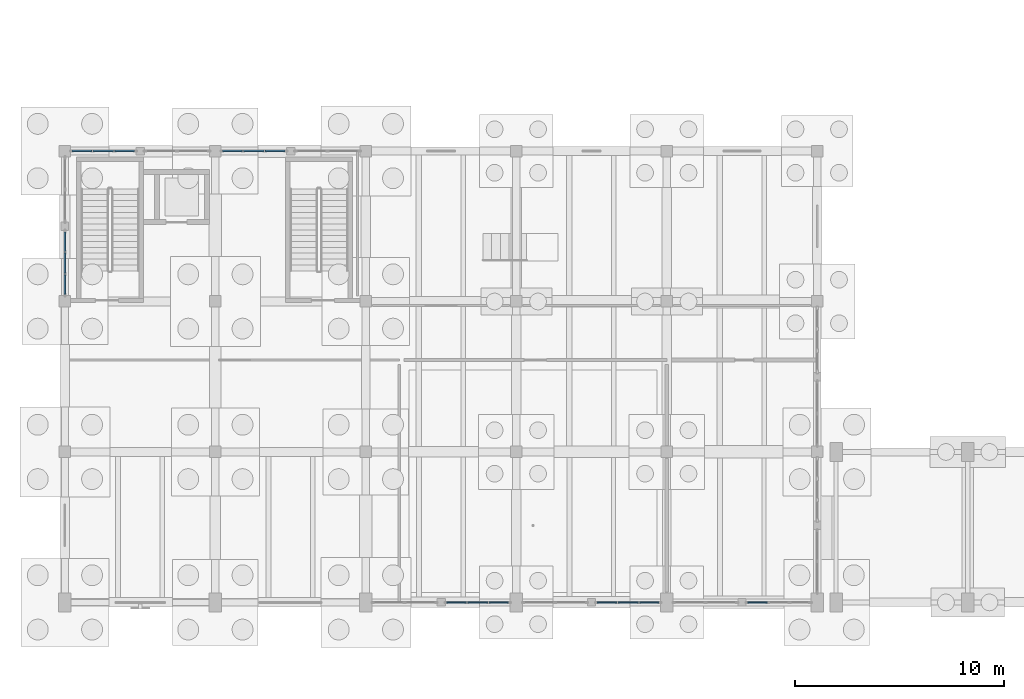
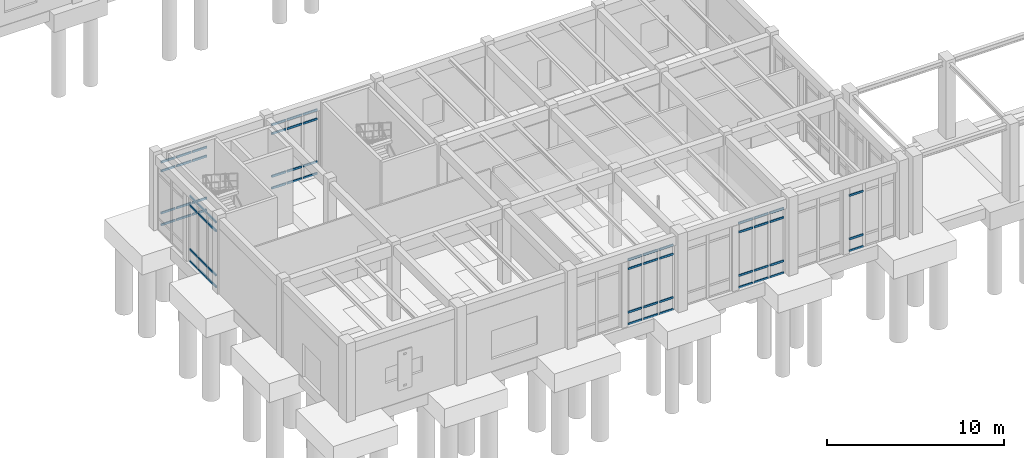
# One storey, part 43 of 93: 63 members, 6 elements without a shape of their own.
"""IFC4 building model written with IfcOpenShell, lengths in metres."""

import ifcopenshell
import ifcopenshell.guid

model = None  # the IFC model being written
_history = None  # IfcOwnerHistory: only IFC2X3 demands one
_inside = {}  # id of a spatial element -> (the spatial element, [elements in it])
_under = {}  # id of a project, library or spatial element -> (it, [spatial elements below it])
_declared = {}  # id of a project -> (the project, [libraries it declares])
_typed = {}  # id of a type object -> (the type object, [elements of that type])
_made_of = {}  # id of a material, layer set ... -> (it, [elements and type objects made of it])


def new_model(schema):
    """Start an empty IFC model of exactly this schema.

    Asked for "IFC4X3", IfcOpenShell would pick the latest addendum, in which some entities
    have other attributes; the version numbers below select the first issue.
    IFC2X3 requires an IfcOwnerHistory on every rooted entity: one is made here for all.
    """
    global model, _history
    if schema == "IFC4X3":
        model = ifcopenshell.file(schema_version=(4, 3, 0, 0))
    else:
        model = ifcopenshell.file(schema=schema)
    _inside.clear()
    _under.clear()
    _declared.clear()
    _typed.clear()
    _made_of.clear()
    _history = None
    if model.schema == "IFC2X3":
        org = make("IfcOrganization", Name="unknown")
        user = make(
            "IfcPersonAndOrganization",
            ThePerson=make("IfcPerson", FamilyName="unknown"),
            TheOrganization=org,
        )
        app = make(
            "IfcApplication",
            ApplicationDeveloper=org,
            Version="unknown",
            ApplicationFullName="unknown",
            ApplicationIdentifier="unknown",
        )
        _history = make(
            "IfcOwnerHistory",
            OwningUser=user,
            OwningApplication=app,
            ChangeAction="ADDED",
            CreationDate=0,
        )
    return model


def make(cls, **values):
    """One entity of the class cls with the attributes given. An attribute that is None is left unset."""
    return model.create_entity(
        cls, **{name: value for name, value in values.items() if value is not None}
    )


def rooted(cls, **values):
    """An entity with a GlobalId (a new one), such as an element, a storey or a relation."""
    return make(cls, GlobalId=ifcopenshell.guid.new(), OwnerHistory=_history, **values)


def si_unit(unit_type, name, prefix=None):
    """IfcSIUnit, for example si_unit("LENGTHUNIT", "METRE", prefix="MILLI")."""
    return make("IfcSIUnit", UnitType=unit_type, Prefix=prefix, Name=name)


def assignment(units):
    """IfcUnitAssignment: the units of a project."""
    return None if units is None else make("IfcUnitAssignment", Units=units)


def point(xyz):
    """IfcCartesianPoint."""
    return None if xyz is None else make("IfcCartesianPoint", Coordinates=xyz)


def direction(xyz):
    """IfcDirection."""
    return None if xyz is None else make("IfcDirection", DirectionRatios=xyz)


def frame(location, z_axis=None, x_axis=None):
    """IfcAxis2Placement3D, a coordinate frame: its origin and axes. An axis left out is left unset."""
    return make(
        "IfcAxis2Placement3D",
        Location=point(location),
        Axis=direction(z_axis),
        RefDirection=direction(x_axis),
    )


def frame_2d(location, x_axis=None):
    """IfcAxis2Placement2D, a coordinate frame in the plane: its origin and x axis."""
    return make(
        "IfcAxis2Placement2D", Location=point(location), RefDirection=direction(x_axis)
    )


def origin():
    """The frame at (0, 0, 0) with its axes left unset."""
    return frame((0.0, 0.0, 0.0))


def origin_2d():
    """The frame at (0, 0) in the plane with its x axis left unset."""
    return frame_2d((0.0, 0.0))


def place(relative_to, where):
    """IfcLocalPlacement: puts the frame where relative to a parent placement (None: the world)."""
    return make(
        "IfcLocalPlacement", PlacementRelTo=relative_to, RelativePlacement=where
    )


def context(
    kind, dimensions, precision=None, world=None, true_north=None, identifier=None
):
    """IfcGeometricRepresentationContext, for example the 3D "Model" context."""
    return make(
        "IfcGeometricRepresentationContext",
        ContextIdentifier=identifier,
        ContextType=kind,
        CoordinateSpaceDimension=dimensions,
        Precision=precision,
        WorldCoordinateSystem=world,
        TrueNorth=true_north,
    )


def subcontext(parent, identifier, kind, view, scale=None):
    """IfcGeometricRepresentationSubContext, for example "Body" below "Model"."""
    return make(
        "IfcGeometricRepresentationSubContext",
        ContextIdentifier=identifier,
        ContextType=kind,
        ParentContext=parent,
        TargetScale=scale,
        TargetView=view,
    )


def project(units=None, contexts=None):
    """IfcProject with its units and contexts."""
    return rooted(
        "IfcProject",
        Name="project",
        RepresentationContexts=contexts,
        UnitsInContext=assignment(units),
    )


def spatial(cls, under=None, at=None, **own):
    """A site, building, storey or space (cls), placed at a placement, below another one or the project."""
    s = rooted(cls, ObjectPlacement=at, **own)
    if under is not None:
        _under.setdefault(under.id(), (under, []))[1].append(s)
    return s


def profile(cls, at=None, kind="AREA", **sizes):
    """A parametric profile (cls). Its sizes go by their IFC names, for example OverallWidth=200.0."""
    return make(cls, ProfileType=kind, Position=at, **sizes)


def rectangle(**sizes):
    """IfcRectangleProfileDef."""
    return profile("IfcRectangleProfileDef", **sizes)


def extrude(swept, where, along, depth):
    """IfcExtrudedAreaSolid: the profile swept, set in the frame where, extruded along a direction by depth."""
    return make(
        "IfcExtrudedAreaSolid",
        SweptArea=swept,
        Position=where,
        ExtrudedDirection=direction(along),
        Depth=depth,
    )


def shape(context_of_items, identifier, shape_type, items):
    """IfcShapeRepresentation: the items that make up one representation, for example the "Body"."""
    return make(
        "IfcShapeRepresentation",
        ContextOfItems=context_of_items,
        RepresentationIdentifier=identifier,
        RepresentationType=shape_type,
        Items=items,
    )


def material(Name=None, Category=None):
    """IfcMaterial."""
    return make("IfcMaterial", Name=Name, Category=Category)


def layer(
    of_material, thickness, ventilated=None, Name=None, Category=None, Priority=None
):
    """IfcMaterialLayer: one layer of a wall or slab, of a material (None: an air gap)."""
    return make(
        "IfcMaterialLayer",
        Material=of_material,
        LayerThickness=thickness,
        IsVentilated=ventilated,
        Name=Name,
        Category=Category,
        Priority=Priority,
    )


def layer_set(layers, Name=None):
    """IfcMaterialLayerSet."""
    return make("IfcMaterialLayerSet", MaterialLayers=layers, LayerSetName=Name)


def material_profile(
    of_material, cross_section, Name=None, Category=None, Priority=None
):
    """IfcMaterialProfile: a cross section and its material."""
    return make(
        "IfcMaterialProfile",
        Name=Name,
        Material=of_material,
        Profile=cross_section,
        Priority=Priority,
        Category=Category,
    )


def profile_set(profiles, Name=None, composite=None):
    """IfcMaterialProfileSet."""
    return make(
        "IfcMaterialProfileSet",
        Name=Name,
        MaterialProfiles=profiles,
        CompositeProfile=composite,
    )


def made_of(thing, what):
    """Note that an element or type object is made of a material, layer set ...; save() writes the relation."""
    if what is not None:
        _made_of.setdefault(what.id(), (what, []))[1].append(thing)
    return thing


def type_object(cls, material=None, **own):
    """A type object (cls), such as IfcWallType, which elements share."""
    return made_of(rooted(cls, **own), material)


def element(
    cls,
    number,
    at=None,
    inside=None,
    cuts=None,
    type_object=None,
    material=None,
    context=None,
    identifier="Body",
    shape_type=None,
    held_by="IfcProductDefinitionShape",
    body=None,
    shapes=None,
    **own,
):
    """One element of the class cls, such as IfcWall. Its Tag is "e" and its number.

    at: its placement. inside: the storey or other place that contains it. cuts: it is an
    opening in that element (IfcRelVoidsElement). A single representation is given by context,
    identifier, shape_type and body (its items); several are given by shapes. held_by: the class
    of the entity that holds the representations. save() writes the other relations.
    """
    e = rooted(cls, Tag="e%d" % number, ObjectPlacement=at, **own)
    if body is not None:
        shapes = [shape(context, identifier, shape_type, body)]
    if shapes is not None:
        e.Representation = make(held_by, Representations=shapes)
    if inside is not None:
        _inside.setdefault(inside.id(), (inside, []))[1].append(e)
    if cuts is not None:
        rooted(
            "IfcRelVoidsElement", RelatingBuildingElement=cuts, RelatedOpeningElement=e
        )
    if type_object is not None:
        _typed.setdefault(type_object.id(), (type_object, []))[1].append(e)
    return made_of(e, material)


def aggregate(whole, parts):
    """IfcRelAggregates: a whole, such as a stair, and the parts it consists of."""
    return rooted("IfcRelAggregates", RelatingObject=whole, RelatedObjects=parts)


def save(model, path):
    """Write the relations noted so far, then the file.

    IfcRelAggregates (storeys below a building ...), IfcRelContainedInSpatialStructure (elements
    in a storey), IfcRelDefinesByType, IfcRelAssociatesMaterial and IfcRelDeclares: one each for
    every whole, place, type object, material and project.
    """
    for whole, parts in _under.values():
        aggregate(whole, parts)
    for where, things in _inside.values():
        rooted(
            "IfcRelContainedInSpatialStructure",
            RelatedElements=things,
            RelatingStructure=where,
        )
    for kind, things in _typed.values():
        rooted("IfcRelDefinesByType", RelatedObjects=things, RelatingType=kind)
    for what, things in _made_of.values():
        rooted("IfcRelAssociatesMaterial", RelatedObjects=things, RelatingMaterial=what)
    for by, libraries in _declared.values():
        rooted("IfcRelDeclares", RelatingContext=by, RelatedDefinitions=libraries)
    model.write(path)


model = new_model("IFC4")

# Units and contexts
model_context = context("Model", 3, precision=1e-05, world=origin(), true_north=direction((0.0, 1.0)))
body_context = subcontext(model_context, "Body", "Model", "MODEL_VIEW")
ifc_project = project(units=[si_unit("LENGTHUNIT", "METRE"), si_unit("AREAUNIT", "SQUARE_METRE"), si_unit("VOLUMEUNIT", "CUBIC_METRE"), si_unit("PLANEANGLEUNIT", "RADIAN"), si_unit("MASSUNIT", "GRAM", prefix="KILO")], contexts=[model_context])

# Site, building, storey
site_placement = place(None, origin())
site = spatial("IfcSite", under=ifc_project, at=site_placement, CompositionType="ELEMENT")
building_placement = place(site_placement, origin())
building = spatial("IfcBuilding", under=site, at=building_placement, Name="Koriwan Promenade Central Fire Station", CompositionType="ELEMENT")
storey_placement = place(building_placement, origin())
storey = spatial("IfcBuildingStorey", under=building, at=storey_placement, Name="L00", CompositionType="ELEMENT", Elevation=0.0)

# Curtain wall, members
ifc_material_1 = material(Name="Aluminium EN AW-6063-T6 and low-E glazing", Category="aluminium")
ifc_layer_1 = layer(ifc_material_1, 0.159912109375, Name="Aluminium EN AW-6063-T6 and low-E glazing")
ifc_layer_set_1 = layer_set([ifc_layer_1], Name="Aluminium EN AW-6063-T6 and low-E glazing")
curtain_wall_type_1 = type_object("IfcCurtainWallType", Name="CurtainWall_21_312x444", PredefinedType="USERDEFINED", material=ifc_layer_set_1)
curtain_wall_1_placement = place(storey_placement, origin())
curtain_wall_1 = element("IfcCurtainWall", 1, at=curtain_wall_1_placement, inside=storey, type_object=curtain_wall_type_1, Name="V3 L00 unitised curtain wall 056", ObjectType="UNITISED CURTAIN WALL", PredefinedType="USERDEFINED")
ifc_material_2 = material(Name="Aluminium EN AW-6063-T6", Category="aluminium")
ifc_material_profile = material_profile(ifc_material_2, rectangle(XDim=0.074951171875, YDim=0.139892578125, at=origin_2d()), Name="ALU-TRN-75x140")
ifc_profile_set = profile_set([ifc_material_profile], Name="Aluminium EN AW-6063-T6")
member_type = type_object("IfcMemberType", Name="CWTransom_ALU-TRN-75x140", PredefinedType="USERDEFINED", material=ifc_profile_set)
member_1_placement = place(storey_placement, frame((10.52490234375, 21.60009765625, 0.03759765625), z_axis=(-1.0, 0.0, 0.0), x_axis=(0.0, -1.0, 0.0)))
member_1 = element("IfcMember", 2, at=member_1_placement, type_object=member_type, Name="CW-21 transom 1.1", ObjectType="TRANSOM", PredefinedType="USERDEFINED", context=body_context, shape_type="SweptSolid", body=[
    extrude(rectangle(XDim=0.074951171875, YDim=0.139892578125, at=origin_2d()), origin(), (0.0, 0.0, 1.0), 0.928955078125),
])
member_2_placement = place(storey_placement, frame((10.52490234375, 21.60009765625, 0.85009765625), z_axis=(-1.0, 0.0, 0.0), x_axis=(0.0, -1.0, 0.0)))
member_2 = element("IfcMember", 3, at=member_2_placement, type_object=member_type, Name="CW-21 transom 1.2", ObjectType="TRANSOM", PredefinedType="USERDEFINED", context=body_context, shape_type="SweptSolid", body=[
    extrude(rectangle(XDim=0.074951171875, YDim=0.139892578125, at=origin_2d()), origin(), (0.0, 0.0, 1.0), 0.928955078125),
])
member_3_placement = place(storey_placement, frame((10.52490234375, 21.60009765625, 3.7900390625), z_axis=(-1.0, 0.0, 0.0), x_axis=(0.0, -1.0, 0.0)))
member_3 = element("IfcMember", 4, at=member_3_placement, type_object=member_type, Name="CW-21 transom 1.3", ObjectType="TRANSOM", PredefinedType="USERDEFINED", context=body_context, shape_type="SweptSolid", body=[
    extrude(rectangle(XDim=0.074951171875, YDim=0.139892578125, at=origin_2d()), origin(), (0.0, 0.0, 1.0), 0.928955078125),
])
member_4_placement = place(storey_placement, frame((10.52490234375, 21.60009765625, 4.402587890625), z_axis=(-1.0, 0.0, 0.0), x_axis=(0.0, -1.0, 0.0)))
member_4 = element("IfcMember", 5, at=member_4_placement, type_object=member_type, Name="CW-21 transom 1.4", ObjectType="TRANSOM", PredefinedType="USERDEFINED", context=body_context, shape_type="SweptSolid", body=[
    extrude(rectangle(XDim=0.074951171875, YDim=0.139892578125, at=origin_2d()), origin(), (0.0, 0.0, 1.0), 0.928955078125),
])
member_5_placement = place(storey_placement, frame((9.520751953125, 21.60009765625, 0.03759765625), z_axis=(-1.0, 0.0, 0.0), x_axis=(0.0, -1.0, 0.0)))
member_5 = element("IfcMember", 6, at=member_5_placement, type_object=member_type, Name="CW-21 transom 2.1", ObjectType="TRANSOM", PredefinedType="USERDEFINED", context=body_context, shape_type="SweptSolid", body=[
    extrude(rectangle(XDim=0.074951171875, YDim=0.139892578125, at=origin_2d()), origin(), (0.0, 0.0, 1.0), 0.966552734375),
])
member_6_placement = place(storey_placement, frame((9.520751953125, 21.60009765625, 0.85009765625), z_axis=(-1.0, 0.0, 0.0), x_axis=(0.0, -1.0, 0.0)))
member_6 = element("IfcMember", 7, at=member_6_placement, type_object=member_type, Name="CW-21 transom 2.2", ObjectType="TRANSOM", PredefinedType="USERDEFINED", context=body_context, shape_type="SweptSolid", body=[
    extrude(rectangle(XDim=0.074951171875, YDim=0.139892578125, at=origin_2d()), origin(), (0.0, 0.0, 1.0), 0.966552734375),
])
member_7_placement = place(storey_placement, frame((9.520751953125, 21.60009765625, 3.7900390625), z_axis=(-1.0, 0.0, 0.0), x_axis=(0.0, -1.0, 0.0)))
member_7 = element("IfcMember", 8, at=member_7_placement, type_object=member_type, Name="CW-21 transom 2.3", ObjectType="TRANSOM", PredefinedType="USERDEFINED", context=body_context, shape_type="SweptSolid", body=[
    extrude(rectangle(XDim=0.074951171875, YDim=0.139892578125, at=origin_2d()), origin(), (0.0, 0.0, 1.0), 0.966552734375),
])
member_8_placement = place(storey_placement, frame((9.520751953125, 21.60009765625, 4.402587890625), z_axis=(-1.0, 0.0, 0.0), x_axis=(0.0, -1.0, 0.0)))
member_8 = element("IfcMember", 9, at=member_8_placement, type_object=member_type, Name="CW-21 transom 2.4", ObjectType="TRANSOM", PredefinedType="USERDEFINED", context=body_context, shape_type="SweptSolid", body=[
    extrude(rectangle(XDim=0.074951171875, YDim=0.139892578125, at=origin_2d()), origin(), (0.0, 0.0, 1.0), 0.966552734375),
])
member_9_placement = place(storey_placement, frame((8.479248046875, 21.60009765625, 0.03759765625), z_axis=(-1.0, 0.0, 0.0), x_axis=(0.0, -1.0, 0.0)))
member_9 = element("IfcMember", 10, at=member_9_placement, type_object=member_type, Name="CW-21 transom 3.1", ObjectType="TRANSOM", PredefinedType="USERDEFINED", context=body_context, shape_type="SweptSolid", body=[
    extrude(rectangle(XDim=0.074951171875, YDim=0.139892578125, at=origin_2d()), origin(), (0.0, 0.0, 1.0), 0.92919921875),
])
member_10_placement = place(storey_placement, frame((8.479248046875, 21.60009765625, 0.85009765625), z_axis=(-1.0, 0.0, 0.0), x_axis=(0.0, -1.0, 0.0)))
member_10 = element("IfcMember", 11, at=member_10_placement, type_object=member_type, Name="CW-21 transom 3.2", ObjectType="TRANSOM", PredefinedType="USERDEFINED", context=body_context, shape_type="SweptSolid", body=[
    extrude(rectangle(XDim=0.074951171875, YDim=0.139892578125, at=origin_2d()), origin(), (0.0, 0.0, 1.0), 0.92919921875),
])
member_11_placement = place(storey_placement, frame((8.479248046875, 21.60009765625, 3.7900390625), z_axis=(-1.0, 0.0, 0.0), x_axis=(0.0, -1.0, 0.0)))
member_11 = element("IfcMember", 12, at=member_11_placement, type_object=member_type, Name="CW-21 transom 3.3", ObjectType="TRANSOM", PredefinedType="USERDEFINED", context=body_context, shape_type="SweptSolid", body=[
    extrude(rectangle(XDim=0.074951171875, YDim=0.139892578125, at=origin_2d()), origin(), (0.0, 0.0, 1.0), 0.92919921875),
])
member_12_placement = place(storey_placement, frame((8.479248046875, 21.60009765625, 4.402587890625), z_axis=(-1.0, 0.0, 0.0), x_axis=(0.0, -1.0, 0.0)))
member_12 = element("IfcMember", 13, at=member_12_placement, type_object=member_type, Name="CW-21 transom 3.4", ObjectType="TRANSOM", PredefinedType="USERDEFINED", context=body_context, shape_type="SweptSolid", body=[
    extrude(rectangle(XDim=0.074951171875, YDim=0.139892578125, at=origin_2d()), origin(), (0.0, 0.0, 1.0), 0.92919921875),
])
aggregate(curtain_wall_1, [member_1, member_2, member_3, member_4, member_5, member_6, member_7, member_8, member_9, member_10, member_11, member_12])

ifc_layer_2 = layer(ifc_material_1, 0.159912109375, Name="Aluminium EN AW-6063-T6 and low-E glazing")
ifc_layer_set_2 = layer_set([ifc_layer_2], Name="Aluminium EN AW-6063-T6 and low-E glazing")
curtain_wall_type_2 = type_object("IfcCurtainWallType", Name="CurtainWall_23_312x439", PredefinedType="USERDEFINED", material=ifc_layer_set_2)
curtain_wall_2_placement = place(storey_placement, origin())
curtain_wall_2 = element("IfcCurtainWall", 14, at=curtain_wall_2_placement, inside=storey, type_object=curtain_wall_type_2, Name="V3 L00 unitised curtain wall 058", ObjectType="UNITISED CURTAIN WALL", PredefinedType="USERDEFINED")
member_13_placement = place(storey_placement, frame((3.324951171875, 21.60009765625, 0.03759765625), z_axis=(-1.0, 0.0, 0.0), x_axis=(0.0, -1.0, 0.0)))
member_13 = element("IfcMember", 15, at=member_13_placement, type_object=member_type, Name="CW-23 transom 1.1", ObjectType="TRANSOM", PredefinedType="USERDEFINED", context=body_context, shape_type="SweptSolid", body=[
    extrude(rectangle(XDim=0.074951171875, YDim=0.139892578125, at=origin_2d()), origin(), (0.0, 0.0, 1.0), 0.92919921875),
])
member_14_placement = place(storey_placement, frame((3.324951171875, 21.60009765625, 0.85009765625), z_axis=(-1.0, 0.0, 0.0), x_axis=(0.0, -1.0, 0.0)))
member_14 = element("IfcMember", 16, at=member_14_placement, type_object=member_type, Name="CW-23 transom 1.2", ObjectType="TRANSOM", PredefinedType="USERDEFINED", context=body_context, shape_type="SweptSolid", body=[
    extrude(rectangle(XDim=0.074951171875, YDim=0.139892578125, at=origin_2d()), origin(), (0.0, 0.0, 1.0), 0.92919921875),
])
member_15_placement = place(storey_placement, frame((3.324951171875, 21.60009765625, 3.739990234375), z_axis=(-1.0, 0.0, 0.0), x_axis=(0.0, -1.0, 0.0)))
member_15 = element("IfcMember", 17, at=member_15_placement, type_object=member_type, Name="CW-23 transom 1.3", ObjectType="TRANSOM", PredefinedType="USERDEFINED", context=body_context, shape_type="SweptSolid", body=[
    extrude(rectangle(XDim=0.074951171875, YDim=0.139892578125, at=origin_2d()), origin(), (0.0, 0.0, 1.0), 0.92919921875),
])
member_16_placement = place(storey_placement, frame((3.324951171875, 21.60009765625, 4.3525390625), z_axis=(-1.0, 0.0, 0.0), x_axis=(0.0, -1.0, 0.0)))
member_16 = element("IfcMember", 18, at=member_16_placement, type_object=member_type, Name="CW-23 transom 1.4", ObjectType="TRANSOM", PredefinedType="USERDEFINED", context=body_context, shape_type="SweptSolid", body=[
    extrude(rectangle(XDim=0.074951171875, YDim=0.139892578125, at=origin_2d()), origin(), (0.0, 0.0, 1.0), 0.92919921875),
])
member_17_placement = place(storey_placement, frame((2.32080078125, 21.60009765625, 0.03759765625), z_axis=(-1.0, 0.0, 0.0), x_axis=(0.0, -1.0, 0.0)))
member_17 = element("IfcMember", 19, at=member_17_placement, type_object=member_type, Name="CW-23 transom 2.1", ObjectType="TRANSOM", PredefinedType="USERDEFINED", context=body_context, shape_type="SweptSolid", body=[
    extrude(rectangle(XDim=0.074951171875, YDim=0.139892578125, at=origin_2d()), origin(), (0.0, 0.0, 1.0), 0.966552734375),
])
member_18_placement = place(storey_placement, frame((2.32080078125, 21.60009765625, 0.85009765625), z_axis=(-1.0, 0.0, 0.0), x_axis=(0.0, -1.0, 0.0)))
member_18 = element("IfcMember", 20, at=member_18_placement, type_object=member_type, Name="CW-23 transom 2.2", ObjectType="TRANSOM", PredefinedType="USERDEFINED", context=body_context, shape_type="SweptSolid", body=[
    extrude(rectangle(XDim=0.074951171875, YDim=0.139892578125, at=origin_2d()), origin(), (0.0, 0.0, 1.0), 0.966552734375),
])
member_19_placement = place(storey_placement, frame((2.32080078125, 21.60009765625, 3.739990234375), z_axis=(-1.0, 0.0, 0.0), x_axis=(0.0, -1.0, 0.0)))
member_19 = element("IfcMember", 21, at=member_19_placement, type_object=member_type, Name="CW-23 transom 2.3", ObjectType="TRANSOM", PredefinedType="USERDEFINED", context=body_context, shape_type="SweptSolid", body=[
    extrude(rectangle(XDim=0.074951171875, YDim=0.139892578125, at=origin_2d()), origin(), (0.0, 0.0, 1.0), 0.966552734375),
])
member_20_placement = place(storey_placement, frame((2.32080078125, 21.60009765625, 4.3525390625), z_axis=(-1.0, 0.0, 0.0), x_axis=(0.0, -1.0, 0.0)))
member_20 = element("IfcMember", 22, at=member_20_placement, type_object=member_type, Name="CW-23 transom 2.4", ObjectType="TRANSOM", PredefinedType="USERDEFINED", context=body_context, shape_type="SweptSolid", body=[
    extrude(rectangle(XDim=0.074951171875, YDim=0.139892578125, at=origin_2d()), origin(), (0.0, 0.0, 1.0), 0.966552734375),
])
member_21_placement = place(storey_placement, frame((1.279052734375, 21.60009765625, 0.03759765625), z_axis=(-1.0, 0.0, 0.0), x_axis=(0.0, -1.0, 0.0)))
member_21 = element("IfcMember", 23, at=member_21_placement, type_object=member_type, Name="CW-23 transom 3.1", ObjectType="TRANSOM", PredefinedType="USERDEFINED", context=body_context, shape_type="SweptSolid", body=[
    extrude(rectangle(XDim=0.074951171875, YDim=0.139892578125, at=origin_2d()), origin(), (0.0, 0.0, 1.0), 0.928955078125),
])
member_22_placement = place(storey_placement, frame((1.279052734375, 21.60009765625, 0.85009765625), z_axis=(-1.0, 0.0, 0.0), x_axis=(0.0, -1.0, 0.0)))
member_22 = element("IfcMember", 24, at=member_22_placement, type_object=member_type, Name="CW-23 transom 3.2", ObjectType="TRANSOM", PredefinedType="USERDEFINED", context=body_context, shape_type="SweptSolid", body=[
    extrude(rectangle(XDim=0.074951171875, YDim=0.139892578125, at=origin_2d()), origin(), (0.0, 0.0, 1.0), 0.928955078125),
])
member_23_placement = place(storey_placement, frame((1.279052734375, 21.60009765625, 3.739990234375), z_axis=(-1.0, 0.0, 0.0), x_axis=(0.0, -1.0, 0.0)))
member_23 = element("IfcMember", 25, at=member_23_placement, type_object=member_type, Name="CW-23 transom 3.3", ObjectType="TRANSOM", PredefinedType="USERDEFINED", context=body_context, shape_type="SweptSolid", body=[
    extrude(rectangle(XDim=0.074951171875, YDim=0.139892578125, at=origin_2d()), origin(), (0.0, 0.0, 1.0), 0.928955078125),
])
member_24_placement = place(storey_placement, frame((1.279052734375, 21.60009765625, 4.3525390625), z_axis=(-1.0, 0.0, 0.0), x_axis=(0.0, -1.0, 0.0)))
member_24 = element("IfcMember", 26, at=member_24_placement, type_object=member_type, Name="CW-23 transom 3.4", ObjectType="TRANSOM", PredefinedType="USERDEFINED", context=body_context, shape_type="SweptSolid", body=[
    extrude(rectangle(XDim=0.074951171875, YDim=0.139892578125, at=origin_2d()), origin(), (0.0, 0.0, 1.0), 0.928955078125),
])
aggregate(curtain_wall_2, [member_13, member_14, member_15, member_16, member_17, member_18, member_19, member_20, member_21, member_22, member_23, member_24])

ifc_layer_3 = layer(ifc_material_1, 0.159912109375, Name="Aluminium EN AW-6063-T6 and low-E glazing")
ifc_layer_set_3 = layer_set([ifc_layer_3], Name="Aluminium EN AW-6063-T6 and low-E glazing")
curtain_wall_type_3 = type_object("IfcCurtainWallType", Name="CurtainWall_19_312x454", PredefinedType="USERDEFINED", material=ifc_layer_set_3)
curtain_wall_3_placement = place(storey_placement, origin())
curtain_wall_3 = element("IfcCurtainWall", 27, at=curtain_wall_3_placement, inside=storey, type_object=curtain_wall_type_3, Name="V3 L00 unitised curtain wall 060", ObjectType="UNITISED CURTAIN WALL", PredefinedType="USERDEFINED")
member_25_placement = place(storey_placement, frame((0.0, 17.72509765625, 0.03759765625), z_axis=(0.0, -1.0, 0.0), x_axis=(1.0, 0.0, 0.0)))
member_25 = element("IfcMember", 28, at=member_25_placement, type_object=member_type, Name="CW-19 transom 1.1", ObjectType="TRANSOM", PredefinedType="USERDEFINED", context=body_context, shape_type="SweptSolid", body=[
    extrude(rectangle(XDim=0.074951171875, YDim=0.139892578125, at=origin_2d()), origin(), (0.0, 0.0, 1.0), 0.92919921875),
])
member_26_placement = place(storey_placement, frame((0.0, 17.72509765625, 0.85009765625), z_axis=(0.0, -1.0, 0.0), x_axis=(1.0, 0.0, 0.0)))
member_26 = element("IfcMember", 29, at=member_26_placement, type_object=member_type, Name="CW-19 transom 1.2", ObjectType="TRANSOM", PredefinedType="USERDEFINED", context=body_context, shape_type="SweptSolid", body=[
    extrude(rectangle(XDim=0.074951171875, YDim=0.139892578125, at=origin_2d()), origin(), (0.0, 0.0, 1.0), 0.92919921875),
])
member_27_placement = place(storey_placement, frame((0.0, 17.72509765625, 3.889892578125), z_axis=(0.0, -1.0, 0.0), x_axis=(1.0, 0.0, 0.0)))
member_27 = element("IfcMember", 30, at=member_27_placement, type_object=member_type, Name="CW-19 transom 1.3", ObjectType="TRANSOM", PredefinedType="USERDEFINED", context=body_context, shape_type="SweptSolid", body=[
    extrude(rectangle(XDim=0.074951171875, YDim=0.139892578125, at=origin_2d()), origin(), (0.0, 0.0, 1.0), 0.92919921875),
])
member_28_placement = place(storey_placement, frame((0.0, 17.72509765625, 4.50244140625), z_axis=(0.0, -1.0, 0.0), x_axis=(1.0, 0.0, 0.0)))
member_28 = element("IfcMember", 31, at=member_28_placement, type_object=member_type, Name="CW-19 transom 1.4", ObjectType="TRANSOM", PredefinedType="USERDEFINED", context=body_context, shape_type="SweptSolid", body=[
    extrude(rectangle(XDim=0.074951171875, YDim=0.139892578125, at=origin_2d()), origin(), (0.0, 0.0, 1.0), 0.92919921875),
])
member_29_placement = place(storey_placement, frame((0.0, 16.720947265625, 0.03759765625), z_axis=(0.0, -1.0, 0.0), x_axis=(1.0, 0.0, 0.0)))
member_29 = element("IfcMember", 32, at=member_29_placement, type_object=member_type, Name="CW-19 transom 2.1", ObjectType="TRANSOM", PredefinedType="USERDEFINED", context=body_context, shape_type="SweptSolid", body=[
    extrude(rectangle(XDim=0.074951171875, YDim=0.139892578125, at=origin_2d()), origin(), (0.0, 0.0, 1.0), 0.966796875),
])
member_30_placement = place(storey_placement, frame((0.0, 16.720947265625, 0.85009765625), z_axis=(0.0, -1.0, 0.0), x_axis=(1.0, 0.0, 0.0)))
member_30 = element("IfcMember", 33, at=member_30_placement, type_object=member_type, Name="CW-19 transom 2.2", ObjectType="TRANSOM", PredefinedType="USERDEFINED", context=body_context, shape_type="SweptSolid", body=[
    extrude(rectangle(XDim=0.074951171875, YDim=0.139892578125, at=origin_2d()), origin(), (0.0, 0.0, 1.0), 0.966796875),
])
member_31_placement = place(storey_placement, frame((0.0, 16.720947265625, 3.889892578125), z_axis=(0.0, -1.0, 0.0), x_axis=(1.0, 0.0, 0.0)))
member_31 = element("IfcMember", 34, at=member_31_placement, type_object=member_type, Name="CW-19 transom 2.3", ObjectType="TRANSOM", PredefinedType="USERDEFINED", context=body_context, shape_type="SweptSolid", body=[
    extrude(rectangle(XDim=0.074951171875, YDim=0.139892578125, at=origin_2d()), origin(), (0.0, 0.0, 1.0), 0.966796875),
])
member_32_placement = place(storey_placement, frame((0.0, 16.720947265625, 4.50244140625), z_axis=(0.0, -1.0, 0.0), x_axis=(1.0, 0.0, 0.0)))
member_32 = element("IfcMember", 35, at=member_32_placement, type_object=member_type, Name="CW-19 transom 2.4", ObjectType="TRANSOM", PredefinedType="USERDEFINED", context=body_context, shape_type="SweptSolid", body=[
    extrude(rectangle(XDim=0.074951171875, YDim=0.139892578125, at=origin_2d()), origin(), (0.0, 0.0, 1.0), 0.966796875),
])
member_33_placement = place(storey_placement, frame((0.0, 15.67919921875, 0.03759765625), z_axis=(0.0, -1.0, 0.0), x_axis=(1.0, 0.0, 0.0)))
member_33 = element("IfcMember", 36, at=member_33_placement, type_object=member_type, Name="CW-19 transom 3.1", ObjectType="TRANSOM", PredefinedType="USERDEFINED", context=body_context, shape_type="SweptSolid", body=[
    extrude(rectangle(XDim=0.074951171875, YDim=0.139892578125, at=origin_2d()), origin(), (0.0, 0.0, 1.0), 0.92919921875),
])
member_34_placement = place(storey_placement, frame((0.0, 15.67919921875, 0.85009765625), z_axis=(0.0, -1.0, 0.0), x_axis=(1.0, 0.0, 0.0)))
member_34 = element("IfcMember", 37, at=member_34_placement, type_object=member_type, Name="CW-19 transom 3.2", ObjectType="TRANSOM", PredefinedType="USERDEFINED", context=body_context, shape_type="SweptSolid", body=[
    extrude(rectangle(XDim=0.074951171875, YDim=0.139892578125, at=origin_2d()), origin(), (0.0, 0.0, 1.0), 0.92919921875),
])
member_35_placement = place(storey_placement, frame((0.0, 15.67919921875, 3.889892578125), z_axis=(0.0, -1.0, 0.0), x_axis=(1.0, 0.0, 0.0)))
member_35 = element("IfcMember", 38, at=member_35_placement, type_object=member_type, Name="CW-19 transom 3.3", ObjectType="TRANSOM", PredefinedType="USERDEFINED", context=body_context, shape_type="SweptSolid", body=[
    extrude(rectangle(XDim=0.074951171875, YDim=0.139892578125, at=origin_2d()), origin(), (0.0, 0.0, 1.0), 0.92919921875),
])
member_36_placement = place(storey_placement, frame((0.0, 15.67919921875, 4.50244140625), z_axis=(0.0, -1.0, 0.0), x_axis=(1.0, 0.0, 0.0)))
member_36 = element("IfcMember", 39, at=member_36_placement, type_object=member_type, Name="CW-19 transom 3.4", ObjectType="TRANSOM", PredefinedType="USERDEFINED", context=body_context, shape_type="SweptSolid", body=[
    extrude(rectangle(XDim=0.074951171875, YDim=0.139892578125, at=origin_2d()), origin(), (0.0, 0.0, 1.0), 0.92919921875),
])
aggregate(curtain_wall_3, [member_25, member_26, member_27, member_28, member_29, member_30, member_31, member_32, member_33, member_34, member_35, member_36])

ifc_layer_4 = layer(ifc_material_1, 0.159912109375, Name="Aluminium EN AW-6063-T6 and low-E glazing")
ifc_layer_set_4 = layer_set([ifc_layer_4], Name="Aluminium EN AW-6063-T6 and low-E glazing")
curtain_wall_type_4 = type_object("IfcCurtainWallType", Name="CurtainWall_25_310x449", PredefinedType="USERDEFINED", material=ifc_layer_set_4)
curtain_wall_4_placement = place(storey_placement, origin())
curtain_wall_4 = element("IfcCurtainWall", 40, at=curtain_wall_4_placement, inside=storey, type_object=curtain_wall_type_4, Name="V3 L00 unitised curtain wall 062", ObjectType="UNITISED CURTAIN WALL", PredefinedType="USERDEFINED")
member_37_placement = place(storey_placement, frame((18.27490234375, 0.0, 0.03759765625), z_axis=(1.0, 0.0, 0.0), x_axis=(0.0, 1.0, 0.0)))
member_37 = element("IfcMember", 41, at=member_37_placement, type_object=member_type, Name="CW-25 transom 1.1", ObjectType="TRANSOM", PredefinedType="USERDEFINED", context=body_context, shape_type="SweptSolid", body=[
    extrude(rectangle(XDim=0.074951171875, YDim=0.139892578125, at=origin_2d()), origin(), (0.0, 0.0, 1.0), 0.9208984375),
])
member_38_placement = place(storey_placement, frame((18.27490234375, 0.0, 0.85009765625), z_axis=(1.0, 0.0, 0.0), x_axis=(0.0, 1.0, 0.0)))
member_38 = element("IfcMember", 42, at=member_38_placement, type_object=member_type, Name="CW-25 transom 1.2", ObjectType="TRANSOM", PredefinedType="USERDEFINED", context=body_context, shape_type="SweptSolid", body=[
    extrude(rectangle(XDim=0.074951171875, YDim=0.139892578125, at=origin_2d()), origin(), (0.0, 0.0, 1.0), 0.9208984375),
])
member_39_placement = place(storey_placement, frame((18.27490234375, 0.0, 3.840087890625), z_axis=(1.0, 0.0, 0.0), x_axis=(0.0, 1.0, 0.0)))
member_39 = element("IfcMember", 43, at=member_39_placement, type_object=member_type, Name="CW-25 transom 1.3", ObjectType="TRANSOM", PredefinedType="USERDEFINED", context=body_context, shape_type="SweptSolid", body=[
    extrude(rectangle(XDim=0.074951171875, YDim=0.139892578125, at=origin_2d()), origin(), (0.0, 0.0, 1.0), 0.9208984375),
])
member_40_placement = place(storey_placement, frame((18.27490234375, 0.0, 4.452392578125), z_axis=(1.0, 0.0, 0.0), x_axis=(0.0, 1.0, 0.0)))
member_40 = element("IfcMember", 44, at=member_40_placement, type_object=member_type, Name="CW-25 transom 1.4", ObjectType="TRANSOM", PredefinedType="USERDEFINED", context=body_context, shape_type="SweptSolid", body=[
    extrude(rectangle(XDim=0.074951171875, YDim=0.139892578125, at=origin_2d()), origin(), (0.0, 0.0, 1.0), 0.9208984375),
])
member_41_placement = place(storey_placement, frame((19.270751953125, 0.0, 0.03759765625), z_axis=(1.0, 0.0, 0.0), x_axis=(0.0, 1.0, 0.0)))
member_41 = element("IfcMember", 45, at=member_41_placement, type_object=member_type, Name="CW-25 transom 2.1", ObjectType="TRANSOM", PredefinedType="USERDEFINED", context=body_context, shape_type="SweptSolid", body=[
    extrude(rectangle(XDim=0.074951171875, YDim=0.139892578125, at=origin_2d()), origin(), (0.0, 0.0, 1.0), 0.95849609375),
])
member_42_placement = place(storey_placement, frame((19.270751953125, 0.0, 0.85009765625), z_axis=(1.0, 0.0, 0.0), x_axis=(0.0, 1.0, 0.0)))
member_42 = element("IfcMember", 46, at=member_42_placement, type_object=member_type, Name="CW-25 transom 2.2", ObjectType="TRANSOM", PredefinedType="USERDEFINED", context=body_context, shape_type="SweptSolid", body=[
    extrude(rectangle(XDim=0.074951171875, YDim=0.139892578125, at=origin_2d()), origin(), (0.0, 0.0, 1.0), 0.95849609375),
])
member_43_placement = place(storey_placement, frame((19.270751953125, 0.0, 3.840087890625), z_axis=(1.0, 0.0, 0.0), x_axis=(0.0, 1.0, 0.0)))
member_43 = element("IfcMember", 47, at=member_43_placement, type_object=member_type, Name="CW-25 transom 2.3", ObjectType="TRANSOM", PredefinedType="USERDEFINED", context=body_context, shape_type="SweptSolid", body=[
    extrude(rectangle(XDim=0.074951171875, YDim=0.139892578125, at=origin_2d()), origin(), (0.0, 0.0, 1.0), 0.95849609375),
])
member_44_placement = place(storey_placement, frame((19.270751953125, 0.0, 4.452392578125), z_axis=(1.0, 0.0, 0.0), x_axis=(0.0, 1.0, 0.0)))
member_44 = element("IfcMember", 48, at=member_44_placement, type_object=member_type, Name="CW-25 transom 2.4", ObjectType="TRANSOM", PredefinedType="USERDEFINED", context=body_context, shape_type="SweptSolid", body=[
    extrude(rectangle(XDim=0.074951171875, YDim=0.139892578125, at=origin_2d()), origin(), (0.0, 0.0, 1.0), 0.95849609375),
])
member_45_placement = place(storey_placement, frame((20.30419921875, 0.0, 0.03759765625), z_axis=(1.0, 0.0, 0.0), x_axis=(0.0, 1.0, 0.0)))
member_45 = element("IfcMember", 49, at=member_45_placement, type_object=member_type, Name="CW-25 transom 3.1", ObjectType="TRANSOM", PredefinedType="USERDEFINED", context=body_context, shape_type="SweptSolid", body=[
    extrude(rectangle(XDim=0.074951171875, YDim=0.139892578125, at=origin_2d()), origin(), (0.0, 0.0, 1.0), 0.9208984375),
])
member_46_placement = place(storey_placement, frame((20.30419921875, 0.0, 0.85009765625), z_axis=(1.0, 0.0, 0.0), x_axis=(0.0, 1.0, 0.0)))
member_46 = element("IfcMember", 50, at=member_46_placement, type_object=member_type, Name="CW-25 transom 3.2", ObjectType="TRANSOM", PredefinedType="USERDEFINED", context=body_context, shape_type="SweptSolid", body=[
    extrude(rectangle(XDim=0.074951171875, YDim=0.139892578125, at=origin_2d()), origin(), (0.0, 0.0, 1.0), 0.9208984375),
])
member_47_placement = place(storey_placement, frame((20.30419921875, 0.0, 3.840087890625), z_axis=(1.0, 0.0, 0.0), x_axis=(0.0, 1.0, 0.0)))
member_47 = element("IfcMember", 51, at=member_47_placement, type_object=member_type, Name="CW-25 transom 3.3", ObjectType="TRANSOM", PredefinedType="USERDEFINED", context=body_context, shape_type="SweptSolid", body=[
    extrude(rectangle(XDim=0.074951171875, YDim=0.139892578125, at=origin_2d()), origin(), (0.0, 0.0, 1.0), 0.9208984375),
])
member_48_placement = place(storey_placement, frame((20.30419921875, 0.0, 4.452392578125), z_axis=(1.0, 0.0, 0.0), x_axis=(0.0, 1.0, 0.0)))
member_48 = element("IfcMember", 52, at=member_48_placement, type_object=member_type, Name="CW-25 transom 3.4", ObjectType="TRANSOM", PredefinedType="USERDEFINED", context=body_context, shape_type="SweptSolid", body=[
    extrude(rectangle(XDim=0.074951171875, YDim=0.139892578125, at=origin_2d()), origin(), (0.0, 0.0, 1.0), 0.9208984375),
])
aggregate(curtain_wall_4, [member_37, member_38, member_39, member_40, member_41, member_42, member_43, member_44, member_45, member_46, member_47, member_48])

curtain_wall_5_placement = place(storey_placement, origin())
curtain_wall_5 = element("IfcCurtainWall", 53, at=curtain_wall_5_placement, inside=storey, type_object=curtain_wall_type_4, Name="V3 L00 unitised curtain wall 064", ObjectType="UNITISED CURTAIN WALL", PredefinedType="USERDEFINED")
member_49_placement = place(storey_placement, frame((25.47509765625, 0.0, 0.03759765625), z_axis=(1.0, 0.0, 0.0), x_axis=(0.0, 1.0, 0.0)))
member_49 = element("IfcMember", 54, at=member_49_placement, type_object=member_type, Name="CW-25 transom 1.1", ObjectType="TRANSOM", PredefinedType="USERDEFINED", context=body_context, shape_type="SweptSolid", body=[
    extrude(rectangle(XDim=0.074951171875, YDim=0.139892578125, at=origin_2d()), origin(), (0.0, 0.0, 1.0), 0.920654296875),
])
member_50_placement = place(storey_placement, frame((25.47509765625, 0.0, 0.85009765625), z_axis=(1.0, 0.0, 0.0), x_axis=(0.0, 1.0, 0.0)))
member_50 = element("IfcMember", 55, at=member_50_placement, type_object=member_type, Name="CW-25 transom 1.2", ObjectType="TRANSOM", PredefinedType="USERDEFINED", context=body_context, shape_type="SweptSolid", body=[
    extrude(rectangle(XDim=0.074951171875, YDim=0.139892578125, at=origin_2d()), origin(), (0.0, 0.0, 1.0), 0.920654296875),
])
member_51_placement = place(storey_placement, frame((25.47509765625, 0.0, 3.840087890625), z_axis=(1.0, 0.0, 0.0), x_axis=(0.0, 1.0, 0.0)))
member_51 = element("IfcMember", 56, at=member_51_placement, type_object=member_type, Name="CW-25 transom 1.3", ObjectType="TRANSOM", PredefinedType="USERDEFINED", context=body_context, shape_type="SweptSolid", body=[
    extrude(rectangle(XDim=0.074951171875, YDim=0.139892578125, at=origin_2d()), origin(), (0.0, 0.0, 1.0), 0.920654296875),
])
member_52_placement = place(storey_placement, frame((25.47509765625, 0.0, 4.452392578125), z_axis=(1.0, 0.0, 0.0), x_axis=(0.0, 1.0, 0.0)))
member_52 = element("IfcMember", 57, at=member_52_placement, type_object=member_type, Name="CW-25 transom 1.4", ObjectType="TRANSOM", PredefinedType="USERDEFINED", context=body_context, shape_type="SweptSolid", body=[
    extrude(rectangle(XDim=0.074951171875, YDim=0.139892578125, at=origin_2d()), origin(), (0.0, 0.0, 1.0), 0.920654296875),
])
member_53_placement = place(storey_placement, frame((26.470947265625, 0.0, 0.03759765625), z_axis=(1.0, 0.0, 0.0), x_axis=(0.0, 1.0, 0.0)))
member_53 = element("IfcMember", 58, at=member_53_placement, type_object=member_type, Name="CW-25 transom 2.1", ObjectType="TRANSOM", PredefinedType="USERDEFINED", context=body_context, shape_type="SweptSolid", body=[
    extrude(rectangle(XDim=0.074951171875, YDim=0.139892578125, at=origin_2d()), origin(), (0.0, 0.0, 1.0), 0.958251953125),
])
member_54_placement = place(storey_placement, frame((26.470947265625, 0.0, 0.85009765625), z_axis=(1.0, 0.0, 0.0), x_axis=(0.0, 1.0, 0.0)))
member_54 = element("IfcMember", 59, at=member_54_placement, type_object=member_type, Name="CW-25 transom 2.2", ObjectType="TRANSOM", PredefinedType="USERDEFINED", context=body_context, shape_type="SweptSolid", body=[
    extrude(rectangle(XDim=0.074951171875, YDim=0.139892578125, at=origin_2d()), origin(), (0.0, 0.0, 1.0), 0.958251953125),
])
member_55_placement = place(storey_placement, frame((26.470947265625, 0.0, 3.840087890625), z_axis=(1.0, 0.0, 0.0), x_axis=(0.0, 1.0, 0.0)))
member_55 = element("IfcMember", 60, at=member_55_placement, type_object=member_type, Name="CW-25 transom 2.3", ObjectType="TRANSOM", PredefinedType="USERDEFINED", context=body_context, shape_type="SweptSolid", body=[
    extrude(rectangle(XDim=0.074951171875, YDim=0.139892578125, at=origin_2d()), origin(), (0.0, 0.0, 1.0), 0.958251953125),
])
member_56_placement = place(storey_placement, frame((26.470947265625, 0.0, 4.452392578125), z_axis=(1.0, 0.0, 0.0), x_axis=(0.0, 1.0, 0.0)))
member_56 = element("IfcMember", 61, at=member_56_placement, type_object=member_type, Name="CW-25 transom 2.4", ObjectType="TRANSOM", PredefinedType="USERDEFINED", context=body_context, shape_type="SweptSolid", body=[
    extrude(rectangle(XDim=0.074951171875, YDim=0.139892578125, at=origin_2d()), origin(), (0.0, 0.0, 1.0), 0.958251953125),
])
member_57_placement = place(storey_placement, frame((27.504150390625, 0.0, 0.03759765625), z_axis=(1.0, 0.0, 0.0), x_axis=(0.0, 1.0, 0.0)))
member_57 = element("IfcMember", 62, at=member_57_placement, type_object=member_type, Name="CW-25 transom 3.1", ObjectType="TRANSOM", PredefinedType="USERDEFINED", context=body_context, shape_type="SweptSolid", body=[
    extrude(rectangle(XDim=0.074951171875, YDim=0.139892578125, at=origin_2d()), origin(), (0.0, 0.0, 1.0), 0.9208984375),
])
member_58_placement = place(storey_placement, frame((27.504150390625, 0.0, 0.85009765625), z_axis=(1.0, 0.0, 0.0), x_axis=(0.0, 1.0, 0.0)))
member_58 = element("IfcMember", 63, at=member_58_placement, type_object=member_type, Name="CW-25 transom 3.2", ObjectType="TRANSOM", PredefinedType="USERDEFINED", context=body_context, shape_type="SweptSolid", body=[
    extrude(rectangle(XDim=0.074951171875, YDim=0.139892578125, at=origin_2d()), origin(), (0.0, 0.0, 1.0), 0.9208984375),
])
member_59_placement = place(storey_placement, frame((27.504150390625, 0.0, 3.840087890625), z_axis=(1.0, 0.0, 0.0), x_axis=(0.0, 1.0, 0.0)))
member_59 = element("IfcMember", 64, at=member_59_placement, type_object=member_type, Name="CW-25 transom 3.3", ObjectType="TRANSOM", PredefinedType="USERDEFINED", context=body_context, shape_type="SweptSolid", body=[
    extrude(rectangle(XDim=0.074951171875, YDim=0.139892578125, at=origin_2d()), origin(), (0.0, 0.0, 1.0), 0.9208984375),
])
member_60_placement = place(storey_placement, frame((27.504150390625, 0.0, 4.452392578125), z_axis=(1.0, 0.0, 0.0), x_axis=(0.0, 1.0, 0.0)))
member_60 = element("IfcMember", 65, at=member_60_placement, type_object=member_type, Name="CW-25 transom 3.4", ObjectType="TRANSOM", PredefinedType="USERDEFINED", context=body_context, shape_type="SweptSolid", body=[
    extrude(rectangle(XDim=0.074951171875, YDim=0.139892578125, at=origin_2d()), origin(), (0.0, 0.0, 1.0), 0.9208984375),
])
aggregate(curtain_wall_5, [member_49, member_50, member_51, member_52, member_53, member_54, member_55, member_56, member_57, member_58, member_59, member_60])

curtain_wall_6_placement = place(storey_placement, origin())
curtain_wall_6 = element("IfcCurtainWall", 66, at=curtain_wall_6_placement, inside=storey, type_object=curtain_wall_type_4, Name="V3 L00 unitised curtain wall 066", ObjectType="UNITISED CURTAIN WALL", PredefinedType="USERDEFINED")
member_61_placement = place(storey_placement, frame((32.675048828125, 0.0, 0.03759765625), z_axis=(1.0, 0.0, 0.0), x_axis=(0.0, 1.0, 0.0)))
member_61 = element("IfcMember", 67, at=member_61_placement, type_object=member_type, Name="CW-25 transom 1.1", ObjectType="TRANSOM", PredefinedType="USERDEFINED", context=body_context, shape_type="SweptSolid", body=[
    extrude(rectangle(XDim=0.074951171875, YDim=0.139892578125, at=origin_2d()), origin(), (0.0, 0.0, 1.0), 0.9208984375),
])
member_62_placement = place(storey_placement, frame((32.675048828125, 0.0, 0.85009765625), z_axis=(1.0, 0.0, 0.0), x_axis=(0.0, 1.0, 0.0)))
member_62 = element("IfcMember", 68, at=member_62_placement, type_object=member_type, Name="CW-25 transom 1.2", ObjectType="TRANSOM", PredefinedType="USERDEFINED", context=body_context, shape_type="SweptSolid", body=[
    extrude(rectangle(XDim=0.074951171875, YDim=0.139892578125, at=origin_2d()), origin(), (0.0, 0.0, 1.0), 0.9208984375),
])
member_63_placement = place(storey_placement, frame((32.675048828125, 0.0, 3.840087890625), z_axis=(1.0, 0.0, 0.0), x_axis=(0.0, 1.0, 0.0)))
member_63 = element("IfcMember", 69, at=member_63_placement, type_object=member_type, Name="CW-25 transom 1.3", ObjectType="TRANSOM", PredefinedType="USERDEFINED", context=body_context, shape_type="SweptSolid", body=[
    extrude(rectangle(XDim=0.074951171875, YDim=0.139892578125, at=origin_2d()), origin(), (0.0, 0.0, 1.0), 0.9208984375),
])
aggregate(curtain_wall_6, [member_61, member_62, member_63])

save(model, "model.ifc")
